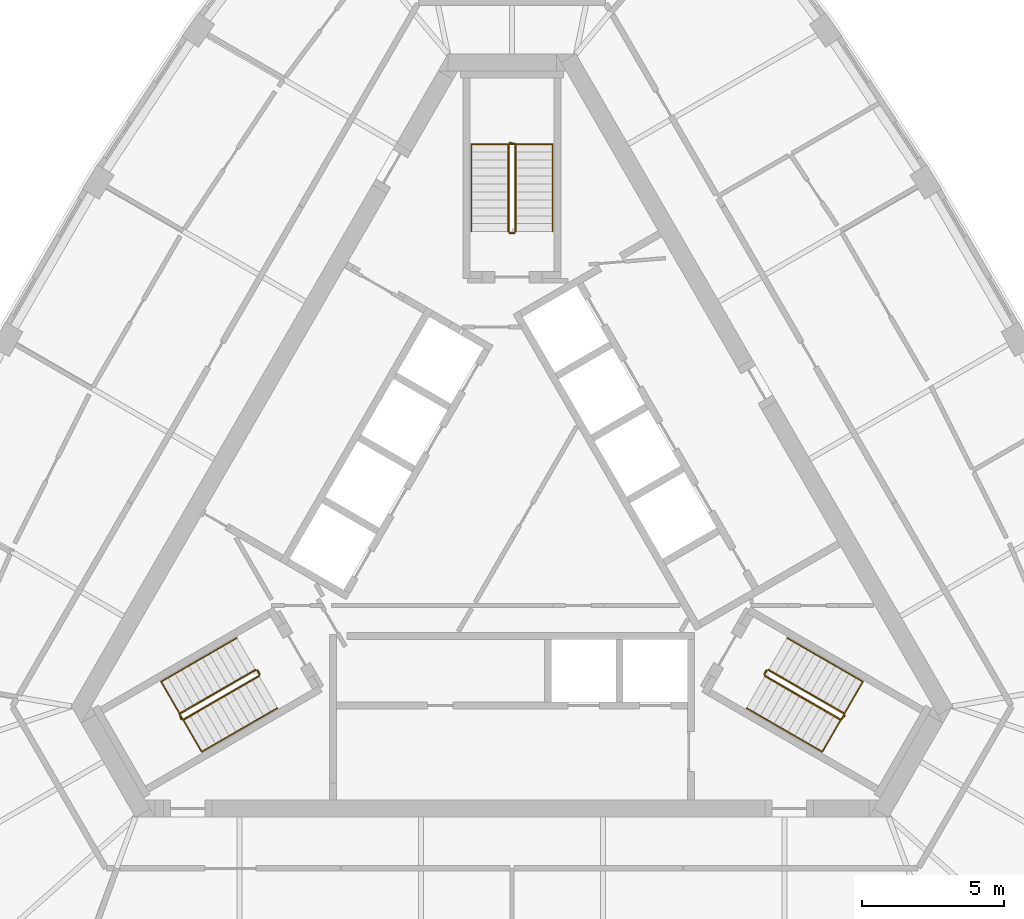
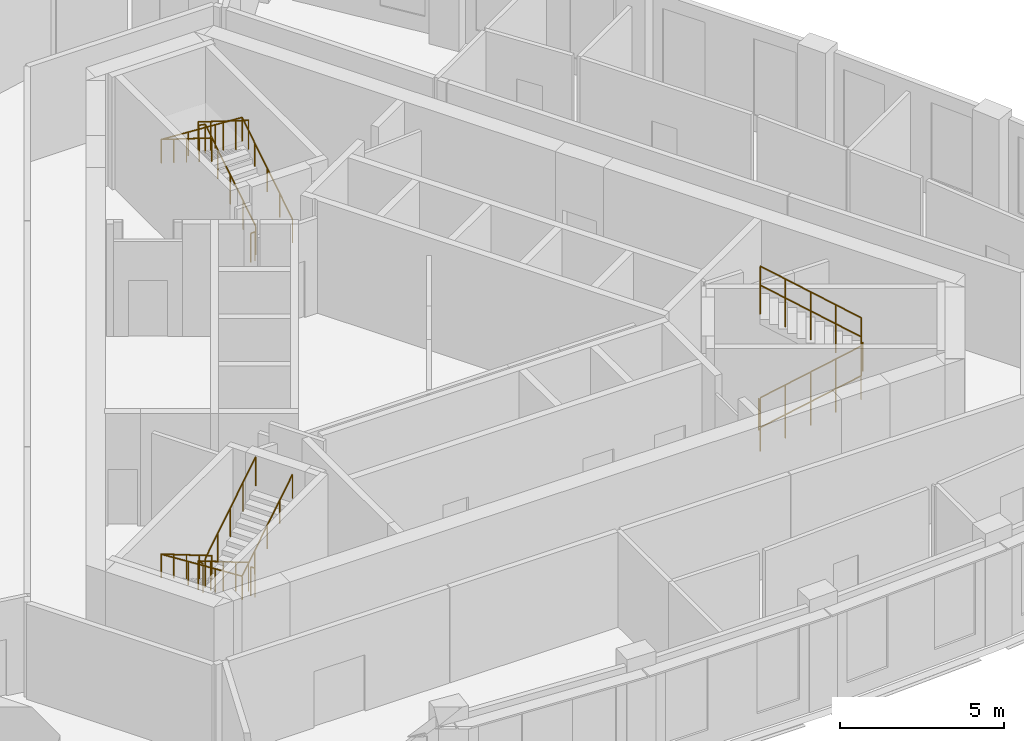
# One storey, part 10 of 10: 12 railings.
"""IFC4 building model written with IfcOpenShell, lengths in metres."""

from ifc_helpers import new_model, si_unit, direction, frame, origin, origin_2d, place, context, subcontext, project, spatial, circle, extrude, material, type_object, element, save


model = new_model("IFC4")

# Units and contexts
model_context = context("Model", 3, precision=1e-05, world=origin(), true_north=direction((0.0, 1.0)))
body_context = subcontext(model_context, "Body", "Model", "MODEL_VIEW")
ifc_project = project(units=[si_unit("LENGTHUNIT", "METRE"), si_unit("AREAUNIT", "SQUARE_METRE"), si_unit("VOLUMEUNIT", "CUBIC_METRE"), si_unit("PLANEANGLEUNIT", "RADIAN"), si_unit("MASSUNIT", "GRAM", prefix="KILO")], contexts=[model_context])

# Site, building, storey
site_placement = place(None, origin())
site = spatial("IfcSite", under=ifc_project, at=site_placement, CompositionType="ELEMENT")
building_placement = place(site_placement, origin())
building = spatial("IfcBuilding", under=site, at=building_placement, Name="Mestral Congress Tower", CompositionType="ELEMENT")
storey_placement = place(building_placement, frame((0.0, 0.0, 292.199951171875)))
storey = spatial("IfcBuildingStorey", under=building, at=storey_placement, Name="L68", CompositionType="ELEMENT", Elevation=292.199951171875)

# Railings
ifc_material_1 = material(Name="Steel balustrade", Category="steel")
railing_type_1 = type_object("IfcRailingType", Name="Stair guard 1100", PredefinedType="GUARDRAIL", material=ifc_material_1)
railing_1_placement = place(storey_placement, frame((8.90087890625, -5.283203125, 0.175048828125)))
element("IfcRailing", 1, at=railing_1_placement, inside=storey, type_object=railing_type_1, Name="L68 ST1 stair guard 1", PredefinedType="GUARDRAIL", context=body_context, shape_type="SweptSolid", body=[
    extrude(circle(Radius=0.02392578125, at=origin_2d()), frame((0.0, 0.0, 1.076171875), z_axis=(0.734364028329, -0.424015404183, 0.530019255228), x_axis=(0.500026652407, 0.866010015463, 0.0)), (0.0, 0.0, 1.0), 3.632080078125),
    extrude(circle(Radius=0.02392578125, at=origin_2d()), frame((2.667236328125, -1.5400390625, 3.0009765625), z_axis=(0.695164929852, 0.718850276695, 0.0), x_axis=(-0.718850276695, 0.695164929852, 0.0)), (0.0, 0.0, 1.0), 0.2060546875),
    extrude(circle(Radius=0.02099609375, at=origin_2d()), origin(), (0.0, 0.0, 1.0), 1.052001953125),
    extrude(circle(Radius=0.02099609375, at=origin_2d()), frame((0.666748046875, -0.385009765625, 0.481201171875)), (0.0, 0.0, 1.0), 1.052001953125),
    extrude(circle(Radius=0.02099609375, at=origin_2d()), frame((1.33349609375, -0.77001953125, 0.96240234375)), (0.0, 0.0, 1.0), 1.052001953125),
    extrude(circle(Radius=0.02099609375, at=origin_2d()), frame((2.00048828125, -1.155029296875, 1.44384765625)), (0.0, 0.0, 1.0), 1.052001953125),
    extrude(circle(Radius=0.02099609375, at=origin_2d()), frame((2.667236328125, -1.5400390625, 1.925048828125)), (0.0, 0.0, 1.0), 1.052001953125),
    extrude(circle(Radius=0.02099609375, at=origin_2d()), frame((2.810546875, -1.391845703125, 1.925048828125)), (0.0, 0.0, 1.0), 1.052001953125),
])
railing_2_placement = place(storey_placement, frame((11.693115234375, -6.606689453125, 2.275146484375)))
element("IfcRailing", 2, at=railing_2_placement, inside=storey, type_object=railing_type_1, Name="L68 ST1 stair guard 2", PredefinedType="GUARDRAIL", context=body_context, shape_type="SweptSolid", body=[
    extrude(circle(Radius=0.02392578125, at=origin_2d()), frame((0.0, 0.0, 1.076171875), z_axis=(-0.734390191396, 0.42403051051, 0.529970917068), x_axis=(-0.500026652407, -0.866010015463, 0.0)), (0.0, 0.0, 1.0), 3.6318359375),
    extrude(circle(Radius=0.02099609375, at=origin_2d()), origin(), (0.0, 0.0, 1.0), 1.052001953125),
    extrude(circle(Radius=0.02099609375, at=origin_2d()), frame((-0.666748046875, 0.385009765625, 0.481201171875)), (0.0, 0.0, 1.0), 1.052001953125),
    extrude(circle(Radius=0.02099609375, at=origin_2d()), frame((-1.33349609375, 0.77001953125, 0.96240234375)), (0.0, 0.0, 1.0), 1.052001953125),
    extrude(circle(Radius=0.02099609375, at=origin_2d()), frame((-2.00048828125, 1.155029296875, 1.443603515625)), (0.0, 0.0, 1.0), 1.052001953125),
    extrude(circle(Radius=0.02099609375, at=origin_2d()), frame((-2.667236328125, 1.5400390625, 1.9248046875)), (0.0, 0.0, 1.0), 1.052001953125),
])
railing_3_placement = place(storey_placement, frame((8.882568359375, -5.21484375, 0.0)))
element("IfcRailing", 3, at=railing_3_placement, inside=storey, type_object=railing_type_1, Name="L68 ST1 stair guard 3", PredefinedType="GUARDRAIL", context=body_context, shape_type="SweptSolid", body=[
    extrude(circle(Radius=0.02392578125, at=origin_2d()), frame((0.0, 0.0, 1.076171875), z_axis=(0.499816412211, 0.866131372301, 0.0), x_axis=(-0.866131372301, 0.499816412211, 0.0)), (0.0, 0.0, 1.0), 0.14990234375),
    extrude(circle(Radius=0.02099609375, at=origin_2d()), origin(), (0.0, 0.0, 1.0), 1.052001953125),
    extrude(circle(Radius=0.02099609375, at=origin_2d()), frame((0.074951171875, 0.1298828125, 0.0)), (0.0, 0.0, 1.0), 1.052001953125),
])
railing_4_placement = place(storey_placement, frame((0.125, 10.35009765625, 0.175048828125)))
element("IfcRailing", 4, at=railing_4_placement, inside=storey, type_object=railing_type_1, Name="L68 ST2 stair guard 1", PredefinedType="GUARDRAIL", context=body_context, shape_type="SweptSolid", body=[
    extrude(circle(Radius=0.02392578125, at=origin_2d()), frame((0.0, 0.0, 1.076171875), z_axis=(0.0, 0.847979421464, 0.530029150871), x_axis=(-1.0, 0.0, 0.0)), (0.0, 0.0, 1.0), 3.632080078125),
    extrude(circle(Radius=0.02392578125, at=origin_2d()), frame((0.0, 3.079833984375, 3.0009765625), z_axis=(-0.970072785993, 0.242814311512, 0.0), x_axis=(-0.242814311512, -0.970072785993, 0.0)), (0.0, 0.0, 1.0), 0.2060546875),
    extrude(circle(Radius=0.02099609375, at=origin_2d()), origin(), (0.0, 0.0, 1.0), 1.052001953125),
    extrude(circle(Radius=0.02099609375, at=origin_2d()), frame((0.0, 0.77001953125, 0.481201171875)), (0.0, 0.0, 1.0), 1.052001953125),
    extrude(circle(Radius=0.02099609375, at=origin_2d()), frame((0.0, 1.5400390625, 0.96240234375)), (0.0, 0.0, 1.0), 1.052001953125),
    extrude(circle(Radius=0.02099609375, at=origin_2d()), frame((0.0, 2.309814453125, 1.44384765625)), (0.0, 0.0, 1.0), 1.052001953125),
    extrude(circle(Radius=0.02099609375, at=origin_2d()), frame((0.0, 3.079833984375, 1.925048828125)), (0.0, 0.0, 1.0), 1.052001953125),
    extrude(circle(Radius=0.02099609375, at=origin_2d()), frame((-0.199951171875, 3.1298828125, 1.925048828125)), (0.0, 0.0, 1.0), 1.052001953125),
])
railing_5_placement = place(storey_placement, frame((-0.125, 13.429931640625, 2.275146484375)))
element("IfcRailing", 5, at=railing_5_placement, inside=storey, type_object=railing_type_1, Name="L68 ST2 stair guard 2", PredefinedType="GUARDRAIL", context=body_context, shape_type="SweptSolid", body=[
    extrude(circle(Radius=0.02392578125, at=origin_2d()), frame((0.0, 0.0, 1.076171875), z_axis=(0.0, -0.848009633417, 0.529980812513), x_axis=(1.0, 0.0, 0.0)), (0.0, 0.0, 1.0), 3.6318359375),
    extrude(circle(Radius=0.02099609375, at=origin_2d()), origin(), (0.0, 0.0, 1.0), 1.052001953125),
    extrude(circle(Radius=0.02099609375, at=origin_2d()), frame((0.0, -0.77001953125, 0.481201171875)), (0.0, 0.0, 1.0), 1.052001953125),
    extrude(circle(Radius=0.02099609375, at=origin_2d()), frame((0.0, -1.5400390625, 0.96240234375)), (0.0, 0.0, 1.0), 1.052001953125),
    extrude(circle(Radius=0.02099609375, at=origin_2d()), frame((0.0, -2.309814453125, 1.443603515625)), (0.0, 0.0, 1.0), 1.052001953125),
    extrude(circle(Radius=0.02099609375, at=origin_2d()), frame((0.0, -3.079833984375, 1.9248046875)), (0.0, 0.0, 1.0), 1.052001953125),
])
railing_6_placement = place(storey_placement, frame((0.074951171875, 10.300048828125, 0.0)))
element("IfcRailing", 6, at=railing_6_placement, inside=storey, type_object=railing_type_1, Name="L68 ST2 stair guard 3", PredefinedType="GUARDRAIL", context=body_context, shape_type="SweptSolid", body=[
    extrude(circle(Radius=0.02392578125, at=origin_2d()), frame((0.0, 0.0, 1.076171875), z_axis=(-1.0, 0.0, 0.0), x_axis=(0.0, -1.0, 0.0)), (0.0, 0.0, 1.0), 0.14990234375),
    extrude(circle(Radius=0.02099609375, at=origin_2d()), origin(), (0.0, 0.0, 1.0), 1.052001953125),
    extrude(circle(Radius=0.02099609375, at=origin_2d()), frame((-0.14990234375, 0.0, 0.0)), (0.0, 0.0, 1.0), 1.052001953125),
])
railing_7_placement = place(storey_placement, frame((-9.02587890625, -5.066650390625, 0.175048828125)))
element("IfcRailing", 7, at=railing_7_placement, inside=storey, type_object=railing_type_1, Name="L68 ST3 stair guard 1", PredefinedType="GUARDRAIL", context=body_context, shape_type="SweptSolid", body=[
    extrude(circle(Radius=0.02392578125, at=origin_2d()), frame((0.0, 0.0, 1.076171875), z_axis=(-0.734364028329, -0.424015404183, 0.530019255228), x_axis=(0.500026652407, -0.866010015463, 0.0)), (0.0, 0.0, 1.0), 3.632080078125),
    extrude(circle(Radius=0.02392578125, at=origin_2d()), frame((-2.667236328125, -1.5400390625, 3.0009765625), z_axis=(0.274721127897, -0.961523947641, 0.0), x_axis=(0.961523947641, 0.274721127897, 0.0)), (0.0, 0.0, 1.0), 0.2060546875),
    extrude(circle(Radius=0.02099609375, at=origin_2d()), origin(), (0.0, 0.0, 1.0), 1.052001953125),
    extrude(circle(Radius=0.02099609375, at=origin_2d()), frame((-0.666748046875, -0.385009765625, 0.481201171875)), (0.0, 0.0, 1.0), 1.052001953125),
    extrude(circle(Radius=0.02099609375, at=origin_2d()), frame((-1.33349609375, -0.77001953125, 0.96240234375)), (0.0, 0.0, 1.0), 1.052001953125),
    extrude(circle(Radius=0.02099609375, at=origin_2d()), frame((-2.00048828125, -1.155029296875, 1.44384765625)), (0.0, 0.0, 1.0), 1.052001953125),
    extrude(circle(Radius=0.02099609375, at=origin_2d()), frame((-2.667236328125, -1.5400390625, 1.925048828125)), (0.0, 0.0, 1.0), 1.052001953125),
    extrude(circle(Radius=0.02099609375, at=origin_2d()), frame((-2.610595703125, -1.73828125, 1.925048828125)), (0.0, 0.0, 1.0), 1.052001953125),
])
railing_8_placement = place(storey_placement, frame((-11.568115234375, -6.8232421875, 2.275146484375)))
element("IfcRailing", 8, at=railing_8_placement, inside=storey, type_object=railing_type_1, Name="L68 ST3 stair guard 2", PredefinedType="GUARDRAIL", context=body_context, shape_type="SweptSolid", body=[
    extrude(circle(Radius=0.02392578125, at=origin_2d()), frame((0.0, 0.0, 1.076171875), z_axis=(0.734390191396, 0.42403051051, 0.529970917068), x_axis=(-0.500026652407, 0.866010015463, 0.0)), (0.0, 0.0, 1.0), 3.6318359375),
    extrude(circle(Radius=0.02099609375, at=origin_2d()), origin(), (0.0, 0.0, 1.0), 1.052001953125),
    extrude(circle(Radius=0.02099609375, at=origin_2d()), frame((0.666748046875, 0.385009765625, 0.481201171875)), (0.0, 0.0, 1.0), 1.052001953125),
    extrude(circle(Radius=0.02099609375, at=origin_2d()), frame((1.33349609375, 0.77001953125, 0.96240234375)), (0.0, 0.0, 1.0), 1.052001953125),
    extrude(circle(Radius=0.02099609375, at=origin_2d()), frame((2.00048828125, 1.155029296875, 1.443603515625)), (0.0, 0.0, 1.0), 1.052001953125),
    extrude(circle(Radius=0.02099609375, at=origin_2d()), frame((2.667236328125, 1.5400390625, 1.9248046875)), (0.0, 0.0, 1.0), 1.052001953125),
])
railing_9_placement = place(storey_placement, frame((-8.95751953125, -5.0849609375, 0.0)))
element("IfcRailing", 9, at=railing_9_placement, inside=storey, type_object=railing_type_1, Name="L68 ST3 stair guard 3", PredefinedType="GUARDRAIL", context=body_context, shape_type="SweptSolid", body=[
    extrude(circle(Radius=0.02392578125, at=origin_2d()), frame((0.0, 0.0, 1.076171875), z_axis=(0.499816412211, -0.866131372301, 0.0), x_axis=(0.866131372301, 0.499816412211, 0.0)), (0.0, 0.0, 1.0), 0.14990234375),
    extrude(circle(Radius=0.02099609375, at=origin_2d()), origin(), (0.0, 0.0, 1.0), 1.052001953125),
    extrude(circle(Radius=0.02099609375, at=origin_2d()), frame((0.074951171875, -0.1298828125, 0.0)), (0.0, 0.0, 1.0), 1.052001953125),
])
ifc_material_2 = material(Name="Steel handrail", Category="steel")
railing_type_2 = type_object("IfcRailingType", Name="Stair handrail 900", PredefinedType="HANDRAIL", material=ifc_material_2)
railing_10_placement = place(storey_placement, frame((8.2509765625, -6.4091796875, 0.175048828125)))
element("IfcRailing", 10, at=railing_10_placement, inside=storey, type_object=railing_type_2, Name="L68 ST1 stair handrail 1", PredefinedType="HANDRAIL", context=body_context, shape_type="SweptSolid", body=[
    extrude(circle(Radius=0.02392578125, at=origin_2d()), frame((0.0, 0.0, 0.8759765625), z_axis=(0.734384958227, -0.423960268333, 0.530034361155), x_axis=(0.499967199496, 0.866044340336, 0.0)), (0.0, 0.0, 1.0), 3.6318359375),
    extrude(circle(Radius=0.02392578125, at=origin_2d()), frame((2.667236328125, -1.539794921875, 2.80078125), z_axis=(0.499095769026, 0.864375386171, 0.061307463833), x_axis=(-0.866004402611, 0.500036373335, 0.0)), (0.0, 0.0, 1.0), 2.855224609375),
    extrude(circle(Radius=0.02392578125, at=origin_2d()), frame((4.09228515625, 0.92822265625, 2.97607421875), z_axis=(-0.734421155904, 0.424009578203, 0.529944755001), x_axis=(-0.499992328818, -0.866029832698, 0.0)), (0.0, 0.0, 1.0), 3.632080078125),
    extrude(circle(Radius=0.02099609375, at=origin_2d()), origin(), (0.0, 0.0, 1.0), 0.851806640625),
    extrude(circle(Radius=0.02099609375, at=origin_2d()), frame((0.666748046875, -0.385009765625, 0.481201171875)), (0.0, 0.0, 1.0), 0.851806640625),
    extrude(circle(Radius=0.02099609375, at=origin_2d()), frame((1.33349609375, -0.77001953125, 0.96240234375)), (0.0, 0.0, 1.0), 0.851806640625),
    extrude(circle(Radius=0.02099609375, at=origin_2d()), frame((2.00048828125, -1.15478515625, 1.44384765625)), (0.0, 0.0, 1.0), 0.851806640625),
    extrude(circle(Radius=0.02099609375, at=origin_2d()), frame((2.667236328125, -1.539794921875, 1.925048828125)), (0.0, 0.0, 1.0), 0.851806640625),
    extrude(circle(Radius=0.02099609375, at=origin_2d()), frame((3.142333984375, -0.717041015625, 1.9833984375)), (0.0, 0.0, 1.0), 0.851806640625),
    extrude(circle(Radius=0.02099609375, at=origin_2d()), frame((3.6171875, 0.10546875, 2.041748046875)), (0.0, 0.0, 1.0), 0.851806640625),
    extrude(circle(Radius=0.02099609375, at=origin_2d()), frame((4.09228515625, 0.92822265625, 2.10009765625)), (0.0, 0.0, 1.0), 0.851806640625),
    extrude(circle(Radius=0.02099609375, at=origin_2d()), frame((3.42529296875, 1.313232421875, 2.581298828125)), (0.0, 0.0, 1.0), 0.851806640625),
    extrude(circle(Radius=0.02099609375, at=origin_2d()), frame((2.758544921875, 1.6982421875, 3.0625)), (0.0, 0.0, 1.0), 0.851806640625),
    extrude(circle(Radius=0.02099609375, at=origin_2d()), frame((2.091796875, 2.083251953125, 3.543701171875)), (0.0, 0.0, 1.0), 0.851806640625),
    extrude(circle(Radius=0.02099609375, at=origin_2d()), frame((1.4248046875, 2.46826171875, 4.02490234375)), (0.0, 0.0, 1.0), 0.851806640625),
])
railing_11_placement = place(storey_placement, frame((1.425048828125, 10.35009765625, 0.175048828125)))
element("IfcRailing", 11, at=railing_11_placement, inside=storey, type_object=railing_type_2, Name="L68 ST2 stair handrail 1", PredefinedType="HANDRAIL", context=body_context, shape_type="SweptSolid", body=[
    extrude(circle(Radius=0.02392578125, at=origin_2d()), frame((0.0, 0.0, 0.8759765625), z_axis=(0.0, 0.847979421464, 0.530029150871), x_axis=(-1.0, 0.0, 0.0)), (0.0, 0.0, 1.0), 3.632080078125),
    extrude(circle(Radius=0.02392578125, at=origin_2d()), frame((0.0, 3.079833984375, 2.80078125), z_axis=(-0.998119201106, 0.0, 0.061303021003), x_axis=(0.0, -1.0, 0.0)), (0.0, 0.0, 1.0), 2.85546875),
    extrude(circle(Radius=0.02392578125, at=origin_2d()), frame((-2.85009765625, 3.079833984375, 2.97607421875), z_axis=(0.0, -0.848009633417, 0.529980812513), x_axis=(1.0, 0.0, 0.0)), (0.0, 0.0, 1.0), 3.6318359375),
    extrude(circle(Radius=0.02099609375, at=origin_2d()), origin(), (0.0, 0.0, 1.0), 0.851806640625),
    extrude(circle(Radius=0.02099609375, at=origin_2d()), frame((0.0, 0.77001953125, 0.481201171875)), (0.0, 0.0, 1.0), 0.851806640625),
    extrude(circle(Radius=0.02099609375, at=origin_2d()), frame((0.0, 1.5400390625, 0.96240234375)), (0.0, 0.0, 1.0), 0.851806640625),
    extrude(circle(Radius=0.02099609375, at=origin_2d()), frame((0.0, 2.309814453125, 1.44384765625)), (0.0, 0.0, 1.0), 0.851806640625),
    extrude(circle(Radius=0.02099609375, at=origin_2d()), frame((0.0, 3.079833984375, 1.925048828125)), (0.0, 0.0, 1.0), 0.851806640625),
    extrude(circle(Radius=0.02099609375, at=origin_2d()), frame((-0.949951171875, 3.079833984375, 1.9833984375)), (0.0, 0.0, 1.0), 0.851806640625),
    extrude(circle(Radius=0.02099609375, at=origin_2d()), frame((-1.900146484375, 3.079833984375, 2.041748046875)), (0.0, 0.0, 1.0), 0.851806640625),
    extrude(circle(Radius=0.02099609375, at=origin_2d()), frame((-2.85009765625, 3.079833984375, 2.10009765625)), (0.0, 0.0, 1.0), 0.851806640625),
    extrude(circle(Radius=0.02099609375, at=origin_2d()), frame((-2.85009765625, 2.309814453125, 2.581298828125)), (0.0, 0.0, 1.0), 0.851806640625),
    extrude(circle(Radius=0.02099609375, at=origin_2d()), frame((-2.85009765625, 1.5400390625, 3.0625)), (0.0, 0.0, 1.0), 0.851806640625),
    extrude(circle(Radius=0.02099609375, at=origin_2d()), frame((-2.85009765625, 0.77001953125, 3.543701171875)), (0.0, 0.0, 1.0), 0.851806640625),
    extrude(circle(Radius=0.02099609375, at=origin_2d()), frame((-2.85009765625, 0.0, 4.02490234375)), (0.0, 0.0, 1.0), 0.851806640625),
])
railing_12_placement = place(storey_placement, frame((-9.67578125, -3.94091796875, 0.175048828125)))
element("IfcRailing", 12, at=railing_12_placement, inside=storey, type_object=railing_type_2, Name="L68 ST3 stair handrail 1", PredefinedType="HANDRAIL", context=body_context, shape_type="SweptSolid", body=[
    extrude(circle(Radius=0.02392578125, at=origin_2d()), frame((0.0, 0.0, 0.8759765625), z_axis=(-0.734394994316, -0.423994474112, 0.52999309264), x_axis=(0.499992328818, -0.866029832698, 0.0)), (0.0, 0.0, 1.0), 3.63232421875),
    extrude(circle(Radius=0.02392578125, at=origin_2d()), frame((-2.66748046875, -1.5400390625, 2.80078125), z_axis=(0.499095769026, -0.864375386171, 0.061307463833), x_axis=(0.866004402611, 0.500036373335, 0.0)), (0.0, 0.0, 1.0), 2.855224609375),
    extrude(circle(Radius=0.02392578125, at=origin_2d()), frame((-1.242431640625, -4.008056640625, 2.97607421875), z_axis=(0.734411123532, 0.423975373557, 0.529986022693), x_axis=(-0.499967199496, 0.866044340336, 0.0)), (0.0, 0.0, 1.0), 3.6318359375),
    extrude(circle(Radius=0.02099609375, at=origin_2d()), origin(), (0.0, 0.0, 1.0), 0.851806640625),
    extrude(circle(Radius=0.02099609375, at=origin_2d()), frame((-0.6669921875, -0.385009765625, 0.481201171875)), (0.0, 0.0, 1.0), 0.851806640625),
    extrude(circle(Radius=0.02099609375, at=origin_2d()), frame((-1.333740234375, -0.77001953125, 0.96240234375)), (0.0, 0.0, 1.0), 0.851806640625),
    extrude(circle(Radius=0.02099609375, at=origin_2d()), frame((-2.00048828125, -1.155029296875, 1.44384765625)), (0.0, 0.0, 1.0), 0.851806640625),
    extrude(circle(Radius=0.02099609375, at=origin_2d()), frame((-2.66748046875, -1.5400390625, 1.925048828125)), (0.0, 0.0, 1.0), 0.851806640625),
    extrude(circle(Radius=0.02099609375, at=origin_2d()), frame((-2.1923828125, -2.36279296875, 1.9833984375)), (0.0, 0.0, 1.0), 0.851806640625),
    extrude(circle(Radius=0.02099609375, at=origin_2d()), frame((-1.717529296875, -3.185302734375, 2.041748046875)), (0.0, 0.0, 1.0), 0.851806640625),
    extrude(circle(Radius=0.02099609375, at=origin_2d()), frame((-1.242431640625, -4.008056640625, 2.10009765625)), (0.0, 0.0, 1.0), 0.851806640625),
    extrude(circle(Radius=0.02099609375, at=origin_2d()), frame((-0.57568359375, -3.623046875, 2.581298828125)), (0.0, 0.0, 1.0), 0.851806640625),
    extrude(circle(Radius=0.02099609375, at=origin_2d()), frame((0.09130859375, -3.23828125, 3.0625)), (0.0, 0.0, 1.0), 0.851806640625),
    extrude(circle(Radius=0.02099609375, at=origin_2d()), frame((0.758056640625, -2.853271484375, 3.543701171875)), (0.0, 0.0, 1.0), 0.851806640625),
    extrude(circle(Radius=0.02099609375, at=origin_2d()), frame((1.4248046875, -2.46826171875, 4.02490234375)), (0.0, 0.0, 1.0), 0.851806640625),
])

save(model, "model.ifc")
